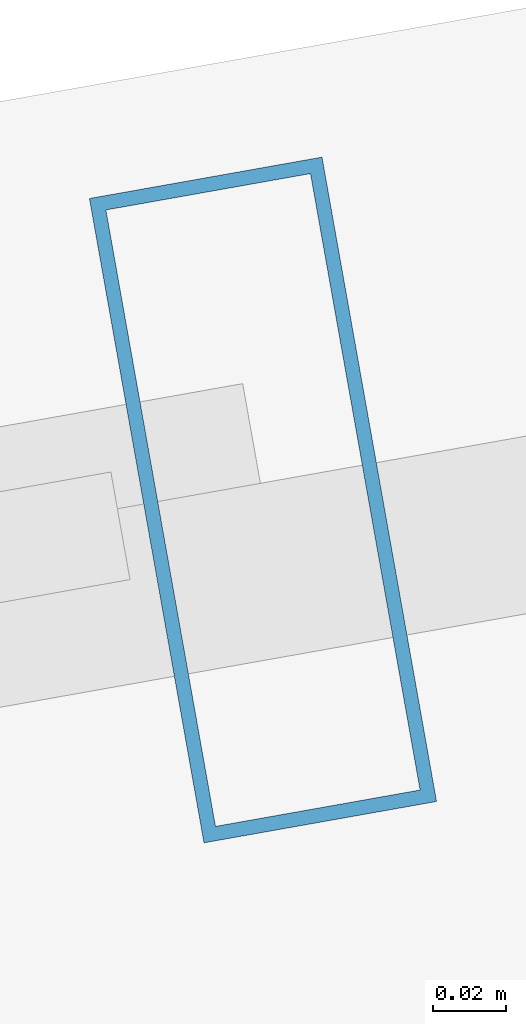
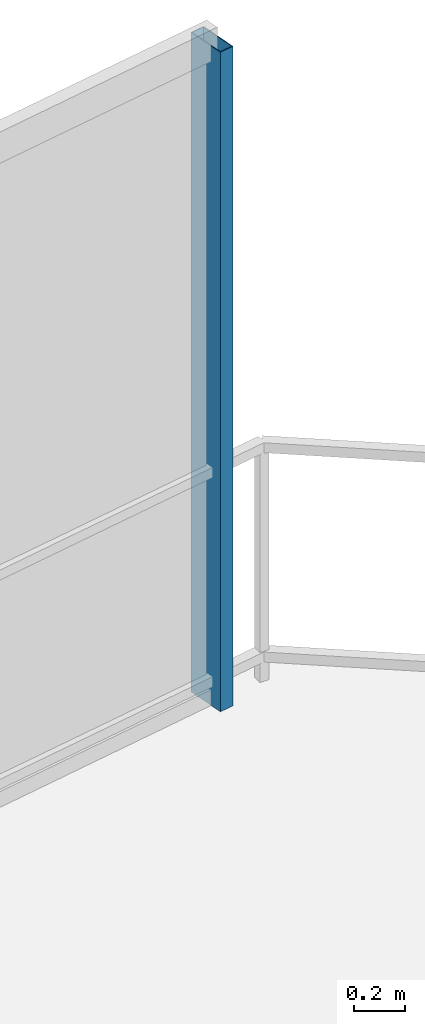
# One storey, part 22 of 27: 1 member, 1 element without a shape of its own.
"""IFC4 building model written with IfcOpenShell, lengths in metres."""

from ifc_helpers import new_model, si_unit, direction, frame, origin, origin_2d, place, context, subcontext, project, spatial, hollow_rectangle, extrude, material, layer, layer_set, material_profile, profile_set, type_object, element, aggregate, save


model = new_model("IFC4")

# Units and contexts
model_context = context("Model", 3, precision=1e-05, world=origin(), true_north=direction((0.0, 1.0)))
body_context = subcontext(model_context, "Body", "Model", "MODEL_VIEW")
ifc_project = project(units=[si_unit("LENGTHUNIT", "METRE"), si_unit("AREAUNIT", "SQUARE_METRE"), si_unit("VOLUMEUNIT", "CUBIC_METRE"), si_unit("PLANEANGLEUNIT", "RADIAN"), si_unit("MASSUNIT", "GRAM", prefix="KILO")], contexts=[model_context])

# Site, building, storey
site_placement = place(None, origin())
site = spatial("IfcSite", under=ifc_project, at=site_placement, CompositionType="ELEMENT")
building_placement = place(site_placement, origin())
building = spatial("IfcBuilding", under=site, at=building_placement, Name="Qarnah Convention Tower", CompositionType="ELEMENT")
storey_placement = place(building_placement, frame((0.0, 0.0, 103.949951171875)))
storey = spatial("IfcBuildingStorey", under=building, at=storey_placement, Name="L27", CompositionType="ELEMENT", Elevation=103.949951171875)

# Curtain wall, member
ifc_material_1 = material(Name="Tempered Low-E dark glass", Category="glass")
ifc_layer = layer(ifc_material_1, 0.169921875)
ifc_layer_set = layer_set([ifc_layer], Name="Tempered Low-E dark glass")
curtain_wall_type = type_object("IfcCurtainWallType", Name="CWS-02", PredefinedType="NOTDEFINED", material=ifc_layer_set)
curtain_wall_placement = place(storey_placement, origin())
curtain_wall = element("IfcCurtainWall", 1, at=curtain_wall_placement, inside=storey, type_object=curtain_wall_type, Name="L27 unitised curtain wall CW-L27-F3", PredefinedType="NOTDEFINED")
ifc_material_2 = material(Name="Black anodised aluminium", Category="aluminium")
ifc_material_profile = material_profile(ifc_material_2, hollow_rectangle(XDim=0.06494140625, YDim=0.179931640625, WallThickness=0.00390625, at=origin_2d()), Name="MUL-65X180")
ifc_profile_set = profile_set([ifc_material_profile], Name="Black anodised aluminium")
member_type = type_object("IfcMemberType", Name="MUL-T2", PredefinedType="MULLION", material=ifc_profile_set)
member_placement = place(storey_placement, frame((51.10791015625, 46.469970703125, 0.0), z_axis=(0.0, 0.0, 1.0), x_axis=(0.984561462952, 0.175039211808, 0.0)))
member = element("IfcMember", 2, at=member_placement, type_object=member_type, Name="CW-L27-F3 mullion 6", PredefinedType="MULLION", context=body_context, shape_type="SweptSolid", body=[
    extrude(hollow_rectangle(XDim=0.06494140625, YDim=0.179931640625, WallThickness=0.00390625, at=origin_2d()), origin(), (0.0, 0.0, 1.0), 3.170166015625),
])
aggregate(curtain_wall, [member])

save(model, "model.ifc")
